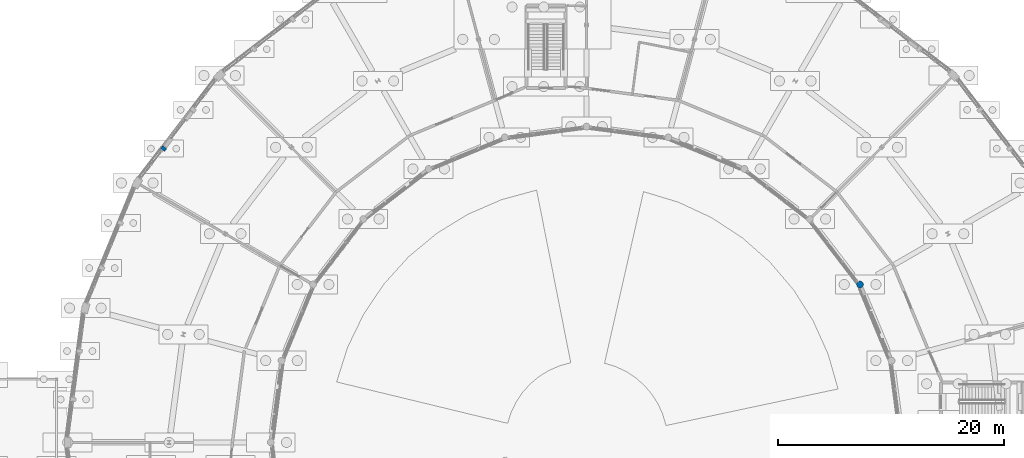
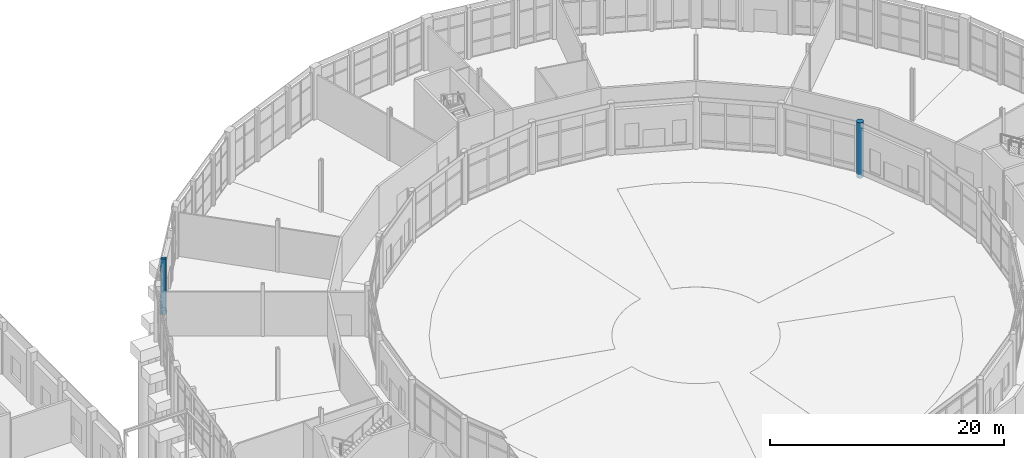
# One storey, part 16 of 137: 2 columns.
"""IFC4 building model written with IfcOpenShell, lengths in metres."""

from ifc_helpers import new_model, si_unit, direction, frame, origin, origin_2d, place, context, subcontext, project, spatial, rectangle, circle, extrude, material, material_profile, profile_set, type_object, element, save


model = new_model("IFC4")

# Units and contexts
model_context = context("Model", 3, precision=1e-05, world=origin(), true_north=direction((0.0, 1.0)))
body_context = subcontext(model_context, "Body", "Model", "MODEL_VIEW")
ifc_project = project(units=[si_unit("LENGTHUNIT", "METRE"), si_unit("AREAUNIT", "SQUARE_METRE"), si_unit("VOLUMEUNIT", "CUBIC_METRE"), si_unit("PLANEANGLEUNIT", "RADIAN"), si_unit("MASSUNIT", "GRAM", prefix="KILO")], contexts=[model_context])

# Site, building, storey
site_placement = place(None, origin())
site = spatial("IfcSite", under=ifc_project, at=site_placement, CompositionType="ELEMENT")
building_placement = place(site_placement, origin())
building = spatial("IfcBuilding", under=site, at=building_placement, Name="Vondelvale Polytechnic", CompositionType="ELEMENT")
storey_placement = place(building_placement, origin())
storey = spatial("IfcBuildingStorey", under=building, at=storey_placement, Name="L00", CompositionType="ELEMENT", Elevation=0.0)

# Columns
ifc_material_1 = material(Name="Glulam GL18 structural Tasmanian oak (fb = 42 MPa)", Category="wood")
ifc_material_profile_1 = material_profile(ifc_material_1, rectangle(XDim=0.300048828125, YDim=0.449951171875, at=origin_2d()), Name="GL-POST-300x450")
ifc_profile_set_1 = profile_set([ifc_material_profile_1], Name="Glulam GL18 structural Tasmanian oak (fb = 42 MPa)")
column_type_1 = type_object("IfcColumnType", Name="COL-GLULAM-300x450", PredefinedType="PILASTER", material=ifc_profile_set_1)
column_1_placement = place(storey_placement, frame((64.502197265625, 98.048583984375, -0.39990234375), z_axis=(0.0, 0.0, 1.0), x_axis=(0.608761429009, 0.793353340291, 0.0)))
element("IfcColumn", 1, at=column_1_placement, inside=storey, type_object=column_type_1, Name="L00 ring outer glulam timber post C09-P2", PredefinedType="PILASTER", context=body_context, shape_type="SweptSolid", body=[
    extrude(rectangle(XDim=0.300048828125, YDim=0.449951171875, at=origin_2d()), origin(), (0.0, 0.0, 1.0), 5.7998046875),
])
ifc_material_2 = material(Name="Concrete N50 (f'c = 50 MPa)", Category="concrete")
ifc_material_profile_2 = material_profile(ifc_material_2, circle(Radius=0.300048828125, at=origin_2d()), Name="RC-COL-D600")
ifc_profile_set_2 = profile_set([ifc_material_profile_2], Name="Concrete N50 (f'c = 50 MPa)")
column_type_2 = type_object("IfcColumnType", Name="COL-RCD600", PredefinedType="COLUMN", material=ifc_profile_set_2)
column_2_placement = place(storey_placement, frame((126.248779296875, 86.0, -0.39990234375), z_axis=(0.0, 0.0, 1.0), x_axis=(0.866025403784, 0.5, 0.0)))
element("IfcColumn", 2, at=column_2_placement, inside=storey, type_object=column_type_2, Name="L00 courtyard ring column S02-RI", PredefinedType="COLUMN", context=body_context, shape_type="SweptSolid", body=[
    extrude(circle(Radius=0.300048828125, at=origin_2d()), origin(), (0.0, 0.0, 1.0), 5.7998046875),
])

save(model, "model.ifc")
